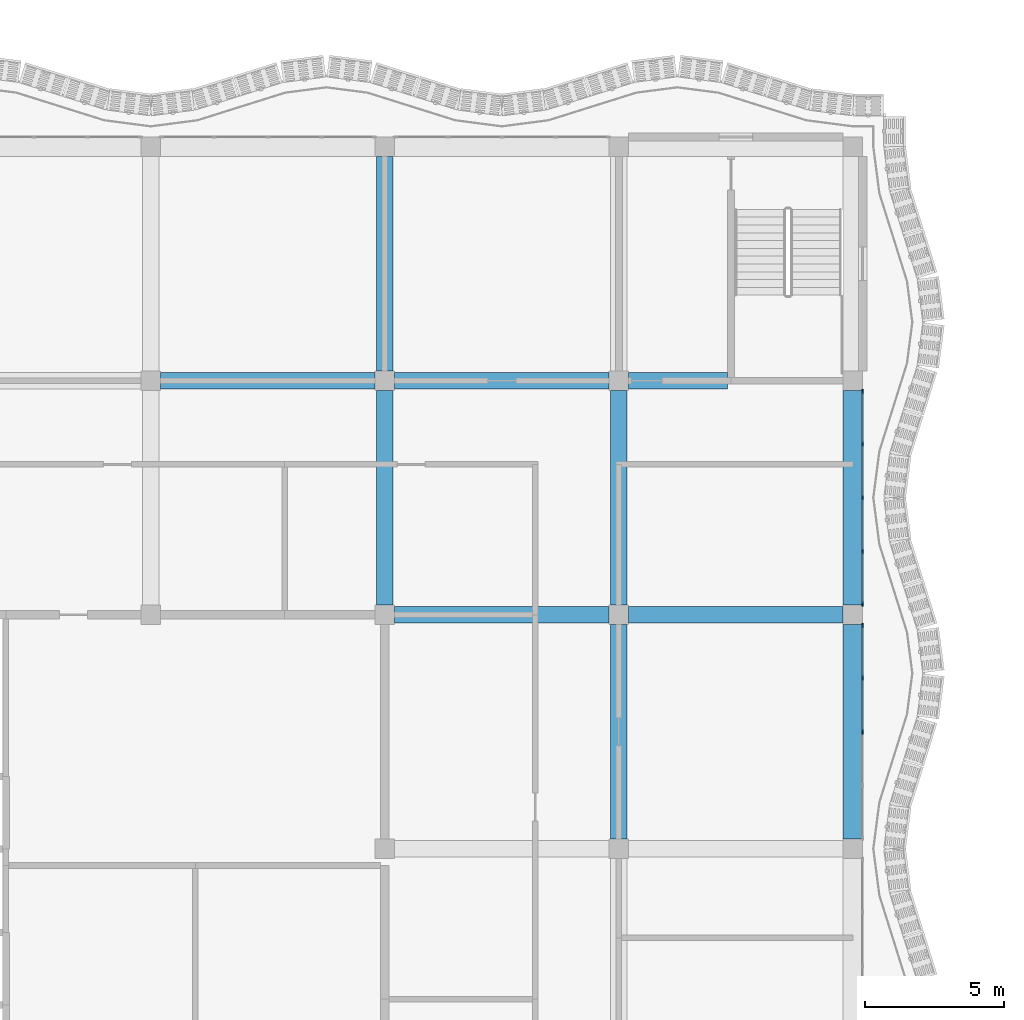
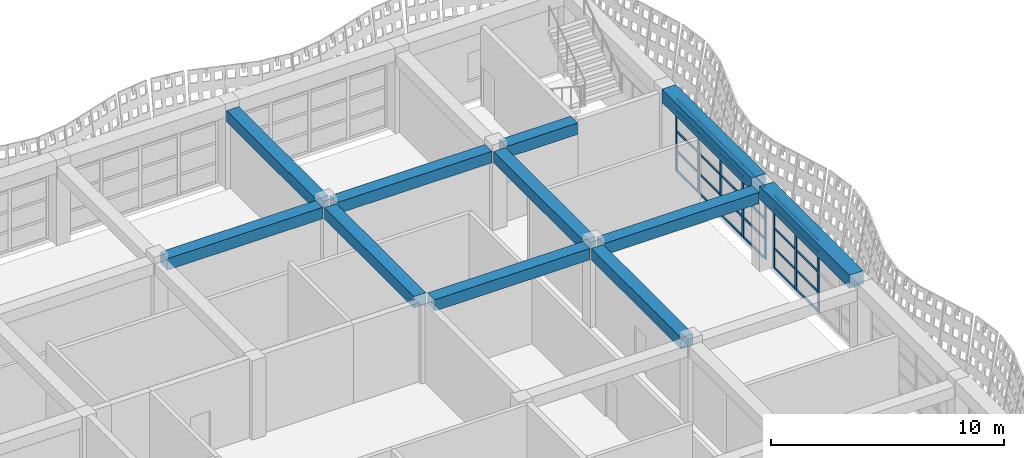
# One storey, part 10 of 163: 38 members, 11 beams, 2 elements without a shape of their own.
"""IFC4 building model written with IfcOpenShell, lengths in metres."""

import ifcopenshell
import ifcopenshell.guid

model = None  # the IFC model being written
_history = None  # IfcOwnerHistory: only IFC2X3 demands one
_inside = {}  # id of a spatial element -> (the spatial element, [elements in it])
_under = {}  # id of a project, library or spatial element -> (it, [spatial elements below it])
_declared = {}  # id of a project -> (the project, [libraries it declares])
_typed = {}  # id of a type object -> (the type object, [elements of that type])
_made_of = {}  # id of a material, layer set ... -> (it, [elements and type objects made of it])


def new_model(schema):
    """Start an empty IFC model of exactly this schema.

    Asked for "IFC4X3", IfcOpenShell would pick the latest addendum, in which some entities
    have other attributes; the version numbers below select the first issue.
    IFC2X3 requires an IfcOwnerHistory on every rooted entity: one is made here for all.
    """
    global model, _history
    if schema == "IFC4X3":
        model = ifcopenshell.file(schema_version=(4, 3, 0, 0))
    else:
        model = ifcopenshell.file(schema=schema)
    _inside.clear()
    _under.clear()
    _declared.clear()
    _typed.clear()
    _made_of.clear()
    _history = None
    if model.schema == "IFC2X3":
        org = make("IfcOrganization", Name="unknown")
        user = make(
            "IfcPersonAndOrganization",
            ThePerson=make("IfcPerson", FamilyName="unknown"),
            TheOrganization=org,
        )
        app = make(
            "IfcApplication",
            ApplicationDeveloper=org,
            Version="unknown",
            ApplicationFullName="unknown",
            ApplicationIdentifier="unknown",
        )
        _history = make(
            "IfcOwnerHistory",
            OwningUser=user,
            OwningApplication=app,
            ChangeAction="ADDED",
            CreationDate=0,
        )
    return model


def make(cls, **values):
    """One entity of the class cls with the attributes given. An attribute that is None is left unset."""
    return model.create_entity(
        cls, **{name: value for name, value in values.items() if value is not None}
    )


def rooted(cls, **values):
    """An entity with a GlobalId (a new one), such as an element, a storey or a relation."""
    return make(cls, GlobalId=ifcopenshell.guid.new(), OwnerHistory=_history, **values)


def si_unit(unit_type, name, prefix=None):
    """IfcSIUnit, for example si_unit("LENGTHUNIT", "METRE", prefix="MILLI")."""
    return make("IfcSIUnit", UnitType=unit_type, Prefix=prefix, Name=name)


def assignment(units):
    """IfcUnitAssignment: the units of a project."""
    return None if units is None else make("IfcUnitAssignment", Units=units)


def point(xyz):
    """IfcCartesianPoint."""
    return None if xyz is None else make("IfcCartesianPoint", Coordinates=xyz)


def direction(xyz):
    """IfcDirection."""
    return None if xyz is None else make("IfcDirection", DirectionRatios=xyz)


def frame(location, z_axis=None, x_axis=None):
    """IfcAxis2Placement3D, a coordinate frame: its origin and axes. An axis left out is left unset."""
    return make(
        "IfcAxis2Placement3D",
        Location=point(location),
        Axis=direction(z_axis),
        RefDirection=direction(x_axis),
    )


def frame_2d(location, x_axis=None):
    """IfcAxis2Placement2D, a coordinate frame in the plane: its origin and x axis."""
    return make(
        "IfcAxis2Placement2D", Location=point(location), RefDirection=direction(x_axis)
    )


def origin():
    """The frame at (0, 0, 0) with its axes left unset."""
    return frame((0.0, 0.0, 0.0))


def origin_2d():
    """The frame at (0, 0) in the plane with its x axis left unset."""
    return frame_2d((0.0, 0.0))


def place(relative_to, where):
    """IfcLocalPlacement: puts the frame where relative to a parent placement (None: the world)."""
    return make(
        "IfcLocalPlacement", PlacementRelTo=relative_to, RelativePlacement=where
    )


def context(
    kind, dimensions, precision=None, world=None, true_north=None, identifier=None
):
    """IfcGeometricRepresentationContext, for example the 3D "Model" context."""
    return make(
        "IfcGeometricRepresentationContext",
        ContextIdentifier=identifier,
        ContextType=kind,
        CoordinateSpaceDimension=dimensions,
        Precision=precision,
        WorldCoordinateSystem=world,
        TrueNorth=true_north,
    )


def subcontext(parent, identifier, kind, view, scale=None):
    """IfcGeometricRepresentationSubContext, for example "Body" below "Model"."""
    return make(
        "IfcGeometricRepresentationSubContext",
        ContextIdentifier=identifier,
        ContextType=kind,
        ParentContext=parent,
        TargetScale=scale,
        TargetView=view,
    )


def project(units=None, contexts=None):
    """IfcProject with its units and contexts."""
    return rooted(
        "IfcProject",
        Name="project",
        RepresentationContexts=contexts,
        UnitsInContext=assignment(units),
    )


def spatial(cls, under=None, at=None, **own):
    """A site, building, storey or space (cls), placed at a placement, below another one or the project."""
    s = rooted(cls, ObjectPlacement=at, **own)
    if under is not None:
        _under.setdefault(under.id(), (under, []))[1].append(s)
    return s


def profile(cls, at=None, kind="AREA", **sizes):
    """A parametric profile (cls). Its sizes go by their IFC names, for example OverallWidth=200.0."""
    return make(cls, ProfileType=kind, Position=at, **sizes)


def rectangle(**sizes):
    """IfcRectangleProfileDef."""
    return profile("IfcRectangleProfileDef", **sizes)


def extrude(swept, where, along, depth):
    """IfcExtrudedAreaSolid: the profile swept, set in the frame where, extruded along a direction by depth."""
    return make(
        "IfcExtrudedAreaSolid",
        SweptArea=swept,
        Position=where,
        ExtrudedDirection=direction(along),
        Depth=depth,
    )


def shape(context_of_items, identifier, shape_type, items):
    """IfcShapeRepresentation: the items that make up one representation, for example the "Body"."""
    return make(
        "IfcShapeRepresentation",
        ContextOfItems=context_of_items,
        RepresentationIdentifier=identifier,
        RepresentationType=shape_type,
        Items=items,
    )


def material(Name=None, Category=None):
    """IfcMaterial."""
    return make("IfcMaterial", Name=Name, Category=Category)


def material_profile(
    of_material, cross_section, Name=None, Category=None, Priority=None
):
    """IfcMaterialProfile: a cross section and its material."""
    return make(
        "IfcMaterialProfile",
        Name=Name,
        Material=of_material,
        Profile=cross_section,
        Priority=Priority,
        Category=Category,
    )


def profile_set(profiles, Name=None, composite=None):
    """IfcMaterialProfileSet."""
    return make(
        "IfcMaterialProfileSet",
        Name=Name,
        MaterialProfiles=profiles,
        CompositeProfile=composite,
    )


def made_of(thing, what):
    """Note that an element or type object is made of a material, layer set ...; save() writes the relation."""
    if what is not None:
        _made_of.setdefault(what.id(), (what, []))[1].append(thing)
    return thing


def type_object(cls, material=None, **own):
    """A type object (cls), such as IfcWallType, which elements share."""
    return made_of(rooted(cls, **own), material)


def element(
    cls,
    number,
    at=None,
    inside=None,
    cuts=None,
    type_object=None,
    material=None,
    context=None,
    identifier="Body",
    shape_type=None,
    held_by="IfcProductDefinitionShape",
    body=None,
    shapes=None,
    **own,
):
    """One element of the class cls, such as IfcWall. Its Tag is "e" and its number.

    at: its placement. inside: the storey or other place that contains it. cuts: it is an
    opening in that element (IfcRelVoidsElement). A single representation is given by context,
    identifier, shape_type and body (its items); several are given by shapes. held_by: the class
    of the entity that holds the representations. save() writes the other relations.
    """
    e = rooted(cls, Tag="e%d" % number, ObjectPlacement=at, **own)
    if body is not None:
        shapes = [shape(context, identifier, shape_type, body)]
    if shapes is not None:
        e.Representation = make(held_by, Representations=shapes)
    if inside is not None:
        _inside.setdefault(inside.id(), (inside, []))[1].append(e)
    if cuts is not None:
        rooted(
            "IfcRelVoidsElement", RelatingBuildingElement=cuts, RelatedOpeningElement=e
        )
    if type_object is not None:
        _typed.setdefault(type_object.id(), (type_object, []))[1].append(e)
    return made_of(e, material)


def aggregate(whole, parts):
    """IfcRelAggregates: a whole, such as a stair, and the parts it consists of."""
    return rooted("IfcRelAggregates", RelatingObject=whole, RelatedObjects=parts)


def save(model, path):
    """Write the relations noted so far, then the file.

    IfcRelAggregates (storeys below a building ...), IfcRelContainedInSpatialStructure (elements
    in a storey), IfcRelDefinesByType, IfcRelAssociatesMaterial and IfcRelDeclares: one each for
    every whole, place, type object, material and project.
    """
    for whole, parts in _under.values():
        aggregate(whole, parts)
    for where, things in _inside.values():
        rooted(
            "IfcRelContainedInSpatialStructure",
            RelatedElements=things,
            RelatingStructure=where,
        )
    for kind, things in _typed.values():
        rooted("IfcRelDefinesByType", RelatedObjects=things, RelatingType=kind)
    for what, things in _made_of.values():
        rooted("IfcRelAssociatesMaterial", RelatedObjects=things, RelatingMaterial=what)
    for by, libraries in _declared.values():
        rooted("IfcRelDeclares", RelatingContext=by, RelatedDefinitions=libraries)
    model.write(path)


model = new_model("IFC4")

# Units and contexts
model_context = context("Model", 3, precision=1e-05, world=origin(), true_north=direction((0.0, 1.0)))
body_context = subcontext(model_context, "Body", "Model", "MODEL_VIEW")
ifc_project = project(units=[si_unit("LENGTHUNIT", "METRE"), si_unit("AREAUNIT", "SQUARE_METRE"), si_unit("VOLUMEUNIT", "CUBIC_METRE"), si_unit("PLANEANGLEUNIT", "RADIAN"), si_unit("MASSUNIT", "GRAM", prefix="KILO")], contexts=[model_context])

# Site, building, storey
site_placement = place(None, origin())
site = spatial("IfcSite", under=ifc_project, at=site_placement, CompositionType="ELEMENT")
building_placement = place(site_placement, origin())
building = spatial("IfcBuilding", under=site, at=building_placement, Name="Rain Tree Exposition and Congress Centre", CompositionType="ELEMENT")
storey_placement = place(building_placement, frame((0.0, 0.0, 10.5)))
storey = spatial("IfcBuildingStorey", under=building, at=storey_placement, Name="L02", CompositionType="ELEMENT", Elevation=10.5)

# Beams
ifc_material_1 = material(Name="Precast concrete C50/60", Category="concrete")
ifc_material_profile_1 = material_profile(ifc_material_1, rectangle(XDim=0.60009765625, YDim=0.60009765625, at=origin_2d()), Name="RC 600x600")
ifc_profile_set_1 = profile_set([ifc_material_profile_1], Name="Precast concrete C50/60")
beam_type_1 = type_object("IfcBeamType", Name="Precast beam 600x600", PredefinedType="BEAM", material=ifc_profile_set_1)
for number, where, z_axis, x_axis, name in (
    (1, (33.949951171875, 33.60009765625, 3.85009765625), (1.0, 0.0, 0.0), (0.0, 1.0, 0.0), "wing/beam/L02/L03/045"),
    (2, (33.60009765625, 33.949951171875, 3.85009765625), (0.0, 1.0, 0.0), (-1.0, 0.0, 0.0), "wing/beam/L02/L03/046"),
    (3, (42.35009765625, 33.60009765625, 3.85009765625), (1.0, 0.0, 0.0), (0.0, 1.0, 0.0), "wing/beam/L02/L03/047"),
    (4, (33.60009765625, 42.35009765625, 3.85009765625), (0.0, 1.0, 0.0), (-1.0, 0.0, 0.0), "wing/beam/L02/L03/048"),
    (5, (25.550048828125, 42.0, 3.85009765625), (1.0, 0.0, 0.0), (0.0, 1.0, 0.0), "wing/beam/L02/L03/055"),
    (6, (42.0, 25.550048828125, 3.85009765625), (0.0, 1.0, 0.0), (-1.0, 0.0, 0.0), "wing/beam/L02/L03/056"),
    (7, (33.949951171875, 42.0, 3.85009765625), (1.0, 0.0, 0.0), (0.0, 1.0, 0.0), "wing/beam/L02/L03/057"),
    (8, (42.0, 33.949951171875, 3.85009765625), (0.0, 1.0, 0.0), (-1.0, 0.0, 0.0), "wing/beam/L02/L03/058"),
):
    element("IfcBeam", number, at=place(storey_placement, frame(where, z_axis=z_axis, x_axis=x_axis)), inside=storey, type_object=beam_type_1, Name=name, PredefinedType="BEAM", context=body_context, shape_type="SweptSolid", body=[
        extrude(rectangle(XDim=0.60009765625, YDim=0.60009765625, at=origin_2d()), origin(), (0.0, 0.0, 1.0), 7.699951171875),
    ])
beam_placement = place(storey_placement, frame((42.35009765625, 42.0, 3.85009765625), z_axis=(1.0, 0.0, 0.0), x_axis=(0.0, 1.0, 0.0)))
element("IfcBeam", 9, at=beam_placement, inside=storey, type_object=beam_type_1, Name="wing/beam/L02/L03/059", PredefinedType="BEAM", context=body_context, shape_type="SweptSolid", body=[
    extrude(rectangle(XDim=0.60009765625, YDim=0.60009765625, at=origin_2d()), origin(), (0.0, 0.0, 1.0), 3.5498046875),
])
ifc_material_2 = material(Name="Precast concrete C50/60", Category="concrete")
ifc_material_profile_2 = material_profile(ifc_material_2, rectangle(XDim=0.699951171875, YDim=0.699951171875, at=origin_2d()), Name="RC 700x700")
ifc_profile_set_2 = profile_set([ifc_material_profile_2], Name="Precast concrete C50/60")
beam_type_2 = type_object("IfcBeamType", Name="Precast spandrel beam 700x700", PredefinedType="SPANDREL", material=ifc_profile_set_2)
for number, where, z_axis, x_axis, name in (
    (10, (50.39990234375, 25.550048828125, 4.14990234375), (0.0, 1.0, 0.0), (-1.0, 0.0, 0.0), "wing/beam/L02/L03/068"),
    (11, (50.39990234375, 33.949951171875, 4.14990234375), (0.0, 1.0, 0.0), (-1.0, 0.0, 0.0), "wing/beam/L02/L03/070"),
):
    element("IfcBeam", number, at=place(storey_placement, frame(where, z_axis=z_axis, x_axis=x_axis)), inside=storey, type_object=beam_type_2, Name=name, PredefinedType="SPANDREL", context=body_context, shape_type="SweptSolid", body=[
        extrude(rectangle(XDim=0.699951171875, YDim=0.699951171875, at=origin_2d()), origin(), (0.0, 0.0, 1.0), 7.699951171875),
    ])

# Curtain wall, members
ifc_material_3 = material(Name="Aluminium curtain wall", Category="aluminium")
curtain_wall_type = type_object("IfcCurtainWallType", Name="Wing curtain wall 1925", PredefinedType="NOTDEFINED", material=ifc_material_3)
curtain_wall_1_placement = place(storey_placement, origin())
curtain_wall_1 = element("IfcCurtainWall", 12, at=curtain_wall_1_placement, inside=storey, type_object=curtain_wall_type, Name="Curtain wall CWW314", PredefinedType="NOTDEFINED")
ifc_material_4 = material(Name="Aluminium", Category="aluminium")
ifc_material_profile_3 = material_profile(ifc_material_4, rectangle(XDim=0.06005859375, YDim=0.159912109375, at=origin_2d()), Name="Aluminium 60x160")
ifc_profile_set_3 = profile_set([ifc_material_profile_3], Name="Aluminium")
member_type_1 = type_object("IfcMemberType", Name="Wing mullion 60x160", PredefinedType="MULLION", material=ifc_profile_set_3)
member_1_placement = place(storey_placement, frame((50.75, 29.39990234375, 0.0), z_axis=(0.0, 0.0, 1.0), x_axis=(-1.0, 0.0, 0.0)))
member_1 = element("IfcMember", 13, at=member_1_placement, type_object=member_type_1, Name="CWW314 mullion 3", PredefinedType="MULLION", context=body_context, shape_type="SweptSolid", body=[
    extrude(rectangle(XDim=0.06005859375, YDim=0.159912109375, at=origin_2d()), origin(), (0.0, 0.0, 1.0), 3.800048828125),
])
member_2_placement = place(storey_placement, frame((50.75, 31.324951171875, 0.0), z_axis=(0.0, 0.0, 1.0), x_axis=(-1.0, 0.0, 0.0)))
member_2 = element("IfcMember", 14, at=member_2_placement, type_object=member_type_1, Name="CWW314 mullion 4", PredefinedType="MULLION", context=body_context, shape_type="SweptSolid", body=[
    extrude(rectangle(XDim=0.06005859375, YDim=0.159912109375, at=origin_2d()), origin(), (0.0, 0.0, 1.0), 3.800048828125),
])
member_3_placement = place(storey_placement, frame((50.75, 33.219970703125, 0.0), z_axis=(0.0, 0.0, 1.0), x_axis=(-1.0, 0.0, 0.0)))
member_3 = element("IfcMember", 15, at=member_3_placement, type_object=member_type_1, Name="CWW314 mullion 5", PredefinedType="MULLION", context=body_context, shape_type="SweptSolid", body=[
    extrude(rectangle(XDim=0.06005859375, YDim=0.159912109375, at=origin_2d()), origin(), (0.0, 0.0, 1.0), 3.800048828125),
])

curtain_wall_2_placement = place(storey_placement, origin())
curtain_wall_2 = element("IfcCurtainWall", 16, at=curtain_wall_2_placement, inside=storey, type_object=curtain_wall_type, Name="Curtain wall CWW315", PredefinedType="NOTDEFINED")
member_4_placement = place(storey_placement, frame((50.75, 33.97998046875, 0.0), z_axis=(0.0, 0.0, 1.0), x_axis=(-1.0, 0.0, 0.0)))
member_4 = element("IfcMember", 17, at=member_4_placement, type_object=member_type_1, Name="CWW315 mullion 1", PredefinedType="MULLION", context=body_context, shape_type="SweptSolid", body=[
    extrude(rectangle(XDim=0.06005859375, YDim=0.159912109375, at=origin_2d()), origin(), (0.0, 0.0, 1.0), 3.800048828125),
])
member_5_placement = place(storey_placement, frame((50.75, 35.875, 0.0), z_axis=(0.0, 0.0, 1.0), x_axis=(-1.0, 0.0, 0.0)))
member_5 = element("IfcMember", 18, at=member_5_placement, type_object=member_type_1, Name="CWW315 mullion 2", PredefinedType="MULLION", context=body_context, shape_type="SweptSolid", body=[
    extrude(rectangle(XDim=0.06005859375, YDim=0.159912109375, at=origin_2d()), origin(), (0.0, 0.0, 1.0), 3.800048828125),
])
member_6_placement = place(storey_placement, frame((50.75, 37.800048828125, 0.0), z_axis=(0.0, 0.0, 1.0), x_axis=(-1.0, 0.0, 0.0)))
member_6 = element("IfcMember", 19, at=member_6_placement, type_object=member_type_1, Name="CWW315 mullion 3", PredefinedType="MULLION", context=body_context, shape_type="SweptSolid", body=[
    extrude(rectangle(XDim=0.06005859375, YDim=0.159912109375, at=origin_2d()), origin(), (0.0, 0.0, 1.0), 3.800048828125),
])
member_7_placement = place(storey_placement, frame((50.75, 39.72509765625, 0.0), z_axis=(0.0, 0.0, 1.0), x_axis=(-1.0, 0.0, 0.0)))
member_7 = element("IfcMember", 20, at=member_7_placement, type_object=member_type_1, Name="CWW315 mullion 4", PredefinedType="MULLION", context=body_context, shape_type="SweptSolid", body=[
    extrude(rectangle(XDim=0.06005859375, YDim=0.159912109375, at=origin_2d()), origin(), (0.0, 0.0, 1.0), 3.800048828125),
])
member_8_placement = place(storey_placement, frame((50.75, 41.6201171875, 0.0), z_axis=(0.0, 0.0, 1.0), x_axis=(-1.0, 0.0, 0.0)))
member_8 = element("IfcMember", 21, at=member_8_placement, type_object=member_type_1, Name="CWW315 mullion 5", PredefinedType="MULLION", context=body_context, shape_type="SweptSolid", body=[
    extrude(rectangle(XDim=0.06005859375, YDim=0.159912109375, at=origin_2d()), origin(), (0.0, 0.0, 1.0), 3.800048828125),
])

# Member
ifc_material_5 = material(Name="Aluminium", Category="aluminium")
ifc_material_profile_4 = material_profile(ifc_material_5, rectangle(XDim=0.06005859375, YDim=0.1201171875, at=origin_2d()), Name="Aluminium 60x120")
ifc_profile_set_4 = profile_set([ifc_material_profile_4], Name="Aluminium")
member_type_2 = type_object("IfcMemberType", Name="Wing transom 60x120", PredefinedType="USERDEFINED", material=ifc_profile_set_4)
member_9_placement = place(storey_placement, frame((50.75, 29.429931640625, 0.030029296875), z_axis=(0.0, 1.0, 0.0), x_axis=(-1.0, 0.0, 0.0)))
member_9 = element("IfcMember", 22, at=member_9_placement, type_object=member_type_2, Name="CWW314 transom 3.1", ObjectType="TRANSOM", PredefinedType="USERDEFINED", context=body_context, shape_type="SweptSolid", body=[
    extrude(rectangle(XDim=0.06005859375, YDim=0.1201171875, at=origin_2d()), origin(), (0.0, 0.0, 1.0), 1.864990234375),
])

member_10_placement = place(storey_placement, frame((50.75, 29.429931640625, 1.050048828125), z_axis=(0.0, 1.0, 0.0), x_axis=(-1.0, 0.0, 0.0)))
member_10 = element("IfcMember", 23, at=member_10_placement, type_object=member_type_2, Name="CWW314 transom 3.2", ObjectType="TRANSOM", PredefinedType="USERDEFINED", context=body_context, shape_type="SweptSolid", body=[
    extrude(rectangle(XDim=0.06005859375, YDim=0.1201171875, at=origin_2d()), origin(), (0.0, 0.0, 1.0), 1.864990234375),
])

member_11_placement = place(storey_placement, frame((50.75, 29.429931640625, 2.10009765625), z_axis=(0.0, 1.0, 0.0), x_axis=(-1.0, 0.0, 0.0)))
member_11 = element("IfcMember", 24, at=member_11_placement, type_object=member_type_2, Name="CWW314 transom 3.3", ObjectType="TRANSOM", PredefinedType="USERDEFINED", context=body_context, shape_type="SweptSolid", body=[
    extrude(rectangle(XDim=0.06005859375, YDim=0.1201171875, at=origin_2d()), origin(), (0.0, 0.0, 1.0), 1.864990234375),
])

member_12_placement = place(storey_placement, frame((50.75, 29.429931640625, 3.14990234375), z_axis=(0.0, 1.0, 0.0), x_axis=(-1.0, 0.0, 0.0)))
member_12 = element("IfcMember", 25, at=member_12_placement, type_object=member_type_2, Name="CWW314 transom 3.4", ObjectType="TRANSOM", PredefinedType="USERDEFINED", context=body_context, shape_type="SweptSolid", body=[
    extrude(rectangle(XDim=0.06005859375, YDim=0.1201171875, at=origin_2d()), origin(), (0.0, 0.0, 1.0), 1.864990234375),
])

member_13_placement = place(storey_placement, frame((50.75, 29.429931640625, 3.77001953125), z_axis=(0.0, 1.0, 0.0), x_axis=(-1.0, 0.0, 0.0)))
member_13 = element("IfcMember", 26, at=member_13_placement, type_object=member_type_2, Name="CWW314 transom 3.5", ObjectType="TRANSOM", PredefinedType="USERDEFINED", context=body_context, shape_type="SweptSolid", body=[
    extrude(rectangle(XDim=0.06005859375, YDim=0.1201171875, at=origin_2d()), origin(), (0.0, 0.0, 1.0), 1.864990234375),
])

member_14_placement = place(storey_placement, frame((50.75, 31.35498046875, 0.030029296875), z_axis=(0.0, 1.0, 0.0), x_axis=(-1.0, 0.0, 0.0)))
member_14 = element("IfcMember", 27, at=member_14_placement, type_object=member_type_2, Name="CWW314 transom 4.1", ObjectType="TRANSOM", PredefinedType="USERDEFINED", context=body_context, shape_type="SweptSolid", body=[
    extrude(rectangle(XDim=0.06005859375, YDim=0.1201171875, at=origin_2d()), origin(), (0.0, 0.0, 1.0), 1.8349609375),
])

member_15_placement = place(storey_placement, frame((50.75, 31.35498046875, 1.050048828125), z_axis=(0.0, 1.0, 0.0), x_axis=(-1.0, 0.0, 0.0)))
member_15 = element("IfcMember", 28, at=member_15_placement, type_object=member_type_2, Name="CWW314 transom 4.2", ObjectType="TRANSOM", PredefinedType="USERDEFINED", context=body_context, shape_type="SweptSolid", body=[
    extrude(rectangle(XDim=0.06005859375, YDim=0.1201171875, at=origin_2d()), origin(), (0.0, 0.0, 1.0), 1.8349609375),
])

member_16_placement = place(storey_placement, frame((50.75, 31.35498046875, 2.10009765625), z_axis=(0.0, 1.0, 0.0), x_axis=(-1.0, 0.0, 0.0)))
member_16 = element("IfcMember", 29, at=member_16_placement, type_object=member_type_2, Name="CWW314 transom 4.3", ObjectType="TRANSOM", PredefinedType="USERDEFINED", context=body_context, shape_type="SweptSolid", body=[
    extrude(rectangle(XDim=0.06005859375, YDim=0.1201171875, at=origin_2d()), origin(), (0.0, 0.0, 1.0), 1.8349609375),
])

member_17_placement = place(storey_placement, frame((50.75, 31.35498046875, 3.14990234375), z_axis=(0.0, 1.0, 0.0), x_axis=(-1.0, 0.0, 0.0)))
member_17 = element("IfcMember", 30, at=member_17_placement, type_object=member_type_2, Name="CWW314 transom 4.4", ObjectType="TRANSOM", PredefinedType="USERDEFINED", context=body_context, shape_type="SweptSolid", body=[
    extrude(rectangle(XDim=0.06005859375, YDim=0.1201171875, at=origin_2d()), origin(), (0.0, 0.0, 1.0), 1.8349609375),
])

member_18_placement = place(storey_placement, frame((50.75, 31.35498046875, 3.77001953125), z_axis=(0.0, 1.0, 0.0), x_axis=(-1.0, 0.0, 0.0)))
member_18 = element("IfcMember", 31, at=member_18_placement, type_object=member_type_2, Name="CWW314 transom 4.5", ObjectType="TRANSOM", PredefinedType="USERDEFINED", context=body_context, shape_type="SweptSolid", body=[
    extrude(rectangle(XDim=0.06005859375, YDim=0.1201171875, at=origin_2d()), origin(), (0.0, 0.0, 1.0), 1.8349609375),
])

aggregate(curtain_wall_1, [member_1, member_2, member_3, member_9, member_10, member_11, member_12, member_13, member_14, member_15, member_16, member_17, member_18])

member_19_placement = place(storey_placement, frame((50.75, 34.010009765625, 0.030029296875), z_axis=(0.0, 1.0, 0.0), x_axis=(-1.0, 0.0, 0.0)))
member_19 = element("IfcMember", 32, at=member_19_placement, type_object=member_type_2, Name="CWW315 transom 1.1", ObjectType="TRANSOM", PredefinedType="USERDEFINED", context=body_context, shape_type="SweptSolid", body=[
    extrude(rectangle(XDim=0.06005859375, YDim=0.1201171875, at=origin_2d()), origin(), (0.0, 0.0, 1.0), 1.8349609375),
])

member_20_placement = place(storey_placement, frame((50.75, 34.010009765625, 1.050048828125), z_axis=(0.0, 1.0, 0.0), x_axis=(-1.0, 0.0, 0.0)))
member_20 = element("IfcMember", 33, at=member_20_placement, type_object=member_type_2, Name="CWW315 transom 1.2", ObjectType="TRANSOM", PredefinedType="USERDEFINED", context=body_context, shape_type="SweptSolid", body=[
    extrude(rectangle(XDim=0.06005859375, YDim=0.1201171875, at=origin_2d()), origin(), (0.0, 0.0, 1.0), 1.8349609375),
])

member_21_placement = place(storey_placement, frame((50.75, 34.010009765625, 2.10009765625), z_axis=(0.0, 1.0, 0.0), x_axis=(-1.0, 0.0, 0.0)))
member_21 = element("IfcMember", 34, at=member_21_placement, type_object=member_type_2, Name="CWW315 transom 1.3", ObjectType="TRANSOM", PredefinedType="USERDEFINED", context=body_context, shape_type="SweptSolid", body=[
    extrude(rectangle(XDim=0.06005859375, YDim=0.1201171875, at=origin_2d()), origin(), (0.0, 0.0, 1.0), 1.8349609375),
])

member_22_placement = place(storey_placement, frame((50.75, 34.010009765625, 3.14990234375), z_axis=(0.0, 1.0, 0.0), x_axis=(-1.0, 0.0, 0.0)))
member_22 = element("IfcMember", 35, at=member_22_placement, type_object=member_type_2, Name="CWW315 transom 1.4", ObjectType="TRANSOM", PredefinedType="USERDEFINED", context=body_context, shape_type="SweptSolid", body=[
    extrude(rectangle(XDim=0.06005859375, YDim=0.1201171875, at=origin_2d()), origin(), (0.0, 0.0, 1.0), 1.8349609375),
])

member_23_placement = place(storey_placement, frame((50.75, 34.010009765625, 3.77001953125), z_axis=(0.0, 1.0, 0.0), x_axis=(-1.0, 0.0, 0.0)))
member_23 = element("IfcMember", 36, at=member_23_placement, type_object=member_type_2, Name="CWW315 transom 1.5", ObjectType="TRANSOM", PredefinedType="USERDEFINED", context=body_context, shape_type="SweptSolid", body=[
    extrude(rectangle(XDim=0.06005859375, YDim=0.1201171875, at=origin_2d()), origin(), (0.0, 0.0, 1.0), 1.8349609375),
])

member_24_placement = place(storey_placement, frame((50.75, 35.905029296875, 0.030029296875), z_axis=(0.0, 1.0, 0.0), x_axis=(-1.0, 0.0, 0.0)))
member_24 = element("IfcMember", 37, at=member_24_placement, type_object=member_type_2, Name="CWW315 transom 2.1", ObjectType="TRANSOM", PredefinedType="USERDEFINED", context=body_context, shape_type="SweptSolid", body=[
    extrude(rectangle(XDim=0.06005859375, YDim=0.1201171875, at=origin_2d()), origin(), (0.0, 0.0, 1.0), 1.864990234375),
])

member_25_placement = place(storey_placement, frame((50.75, 35.905029296875, 1.050048828125), z_axis=(0.0, 1.0, 0.0), x_axis=(-1.0, 0.0, 0.0)))
member_25 = element("IfcMember", 38, at=member_25_placement, type_object=member_type_2, Name="CWW315 transom 2.2", ObjectType="TRANSOM", PredefinedType="USERDEFINED", context=body_context, shape_type="SweptSolid", body=[
    extrude(rectangle(XDim=0.06005859375, YDim=0.1201171875, at=origin_2d()), origin(), (0.0, 0.0, 1.0), 1.864990234375),
])

member_26_placement = place(storey_placement, frame((50.75, 35.905029296875, 2.10009765625), z_axis=(0.0, 1.0, 0.0), x_axis=(-1.0, 0.0, 0.0)))
member_26 = element("IfcMember", 39, at=member_26_placement, type_object=member_type_2, Name="CWW315 transom 2.3", ObjectType="TRANSOM", PredefinedType="USERDEFINED", context=body_context, shape_type="SweptSolid", body=[
    extrude(rectangle(XDim=0.06005859375, YDim=0.1201171875, at=origin_2d()), origin(), (0.0, 0.0, 1.0), 1.864990234375),
])

member_27_placement = place(storey_placement, frame((50.75, 35.905029296875, 3.14990234375), z_axis=(0.0, 1.0, 0.0), x_axis=(-1.0, 0.0, 0.0)))
member_27 = element("IfcMember", 40, at=member_27_placement, type_object=member_type_2, Name="CWW315 transom 2.4", ObjectType="TRANSOM", PredefinedType="USERDEFINED", context=body_context, shape_type="SweptSolid", body=[
    extrude(rectangle(XDim=0.06005859375, YDim=0.1201171875, at=origin_2d()), origin(), (0.0, 0.0, 1.0), 1.864990234375),
])

member_28_placement = place(storey_placement, frame((50.75, 35.905029296875, 3.77001953125), z_axis=(0.0, 1.0, 0.0), x_axis=(-1.0, 0.0, 0.0)))
member_28 = element("IfcMember", 41, at=member_28_placement, type_object=member_type_2, Name="CWW315 transom 2.5", ObjectType="TRANSOM", PredefinedType="USERDEFINED", context=body_context, shape_type="SweptSolid", body=[
    extrude(rectangle(XDim=0.06005859375, YDim=0.1201171875, at=origin_2d()), origin(), (0.0, 0.0, 1.0), 1.864990234375),
])

member_29_placement = place(storey_placement, frame((50.75, 37.830078125, 0.030029296875), z_axis=(0.0, 1.0, 0.0), x_axis=(-1.0, 0.0, 0.0)))
member_29 = element("IfcMember", 42, at=member_29_placement, type_object=member_type_2, Name="CWW315 transom 3.1", ObjectType="TRANSOM", PredefinedType="USERDEFINED", context=body_context, shape_type="SweptSolid", body=[
    extrude(rectangle(XDim=0.06005859375, YDim=0.1201171875, at=origin_2d()), origin(), (0.0, 0.0, 1.0), 1.864990234375),
])

member_30_placement = place(storey_placement, frame((50.75, 37.830078125, 1.050048828125), z_axis=(0.0, 1.0, 0.0), x_axis=(-1.0, 0.0, 0.0)))
member_30 = element("IfcMember", 43, at=member_30_placement, type_object=member_type_2, Name="CWW315 transom 3.2", ObjectType="TRANSOM", PredefinedType="USERDEFINED", context=body_context, shape_type="SweptSolid", body=[
    extrude(rectangle(XDim=0.06005859375, YDim=0.1201171875, at=origin_2d()), origin(), (0.0, 0.0, 1.0), 1.864990234375),
])

member_31_placement = place(storey_placement, frame((50.75, 37.830078125, 2.10009765625), z_axis=(0.0, 1.0, 0.0), x_axis=(-1.0, 0.0, 0.0)))
member_31 = element("IfcMember", 44, at=member_31_placement, type_object=member_type_2, Name="CWW315 transom 3.3", ObjectType="TRANSOM", PredefinedType="USERDEFINED", context=body_context, shape_type="SweptSolid", body=[
    extrude(rectangle(XDim=0.06005859375, YDim=0.1201171875, at=origin_2d()), origin(), (0.0, 0.0, 1.0), 1.864990234375),
])

member_32_placement = place(storey_placement, frame((50.75, 37.830078125, 3.14990234375), z_axis=(0.0, 1.0, 0.0), x_axis=(-1.0, 0.0, 0.0)))
member_32 = element("IfcMember", 45, at=member_32_placement, type_object=member_type_2, Name="CWW315 transom 3.4", ObjectType="TRANSOM", PredefinedType="USERDEFINED", context=body_context, shape_type="SweptSolid", body=[
    extrude(rectangle(XDim=0.06005859375, YDim=0.1201171875, at=origin_2d()), origin(), (0.0, 0.0, 1.0), 1.864990234375),
])

member_33_placement = place(storey_placement, frame((50.75, 37.830078125, 3.77001953125), z_axis=(0.0, 1.0, 0.0), x_axis=(-1.0, 0.0, 0.0)))
member_33 = element("IfcMember", 46, at=member_33_placement, type_object=member_type_2, Name="CWW315 transom 3.5", ObjectType="TRANSOM", PredefinedType="USERDEFINED", context=body_context, shape_type="SweptSolid", body=[
    extrude(rectangle(XDim=0.06005859375, YDim=0.1201171875, at=origin_2d()), origin(), (0.0, 0.0, 1.0), 1.864990234375),
])

member_34_placement = place(storey_placement, frame((50.75, 39.7548828125, 0.030029296875), z_axis=(0.0, 1.0, 0.0), x_axis=(-1.0, 0.0, 0.0)))
member_34 = element("IfcMember", 47, at=member_34_placement, type_object=member_type_2, Name="CWW315 transom 4.1", ObjectType="TRANSOM", PredefinedType="USERDEFINED", context=body_context, shape_type="SweptSolid", body=[
    extrude(rectangle(XDim=0.06005859375, YDim=0.1201171875, at=origin_2d()), origin(), (0.0, 0.0, 1.0), 1.835205078125),
])

member_35_placement = place(storey_placement, frame((50.75, 39.7548828125, 1.050048828125), z_axis=(0.0, 1.0, 0.0), x_axis=(-1.0, 0.0, 0.0)))
member_35 = element("IfcMember", 48, at=member_35_placement, type_object=member_type_2, Name="CWW315 transom 4.2", ObjectType="TRANSOM", PredefinedType="USERDEFINED", context=body_context, shape_type="SweptSolid", body=[
    extrude(rectangle(XDim=0.06005859375, YDim=0.1201171875, at=origin_2d()), origin(), (0.0, 0.0, 1.0), 1.835205078125),
])

member_36_placement = place(storey_placement, frame((50.75, 39.7548828125, 2.10009765625), z_axis=(0.0, 1.0, 0.0), x_axis=(-1.0, 0.0, 0.0)))
member_36 = element("IfcMember", 49, at=member_36_placement, type_object=member_type_2, Name="CWW315 transom 4.3", ObjectType="TRANSOM", PredefinedType="USERDEFINED", context=body_context, shape_type="SweptSolid", body=[
    extrude(rectangle(XDim=0.06005859375, YDim=0.1201171875, at=origin_2d()), origin(), (0.0, 0.0, 1.0), 1.835205078125),
])

member_37_placement = place(storey_placement, frame((50.75, 39.7548828125, 3.14990234375), z_axis=(0.0, 1.0, 0.0), x_axis=(-1.0, 0.0, 0.0)))
member_37 = element("IfcMember", 50, at=member_37_placement, type_object=member_type_2, Name="CWW315 transom 4.4", ObjectType="TRANSOM", PredefinedType="USERDEFINED", context=body_context, shape_type="SweptSolid", body=[
    extrude(rectangle(XDim=0.06005859375, YDim=0.1201171875, at=origin_2d()), origin(), (0.0, 0.0, 1.0), 1.835205078125),
])

member_38_placement = place(storey_placement, frame((50.75, 39.7548828125, 3.77001953125), z_axis=(0.0, 1.0, 0.0), x_axis=(-1.0, 0.0, 0.0)))
member_38 = element("IfcMember", 51, at=member_38_placement, type_object=member_type_2, Name="CWW315 transom 4.5", ObjectType="TRANSOM", PredefinedType="USERDEFINED", context=body_context, shape_type="SweptSolid", body=[
    extrude(rectangle(XDim=0.06005859375, YDim=0.1201171875, at=origin_2d()), origin(), (0.0, 0.0, 1.0), 1.835205078125),
])

aggregate(curtain_wall_2, [member_4, member_5, member_6, member_7, member_8, member_19, member_20, member_21, member_22, member_23, member_24, member_25, member_26, member_27, member_28, member_29, member_30, member_31, member_32, member_33, member_34, member_35, member_36, member_37, member_38])

save(model, "model.ifc")
